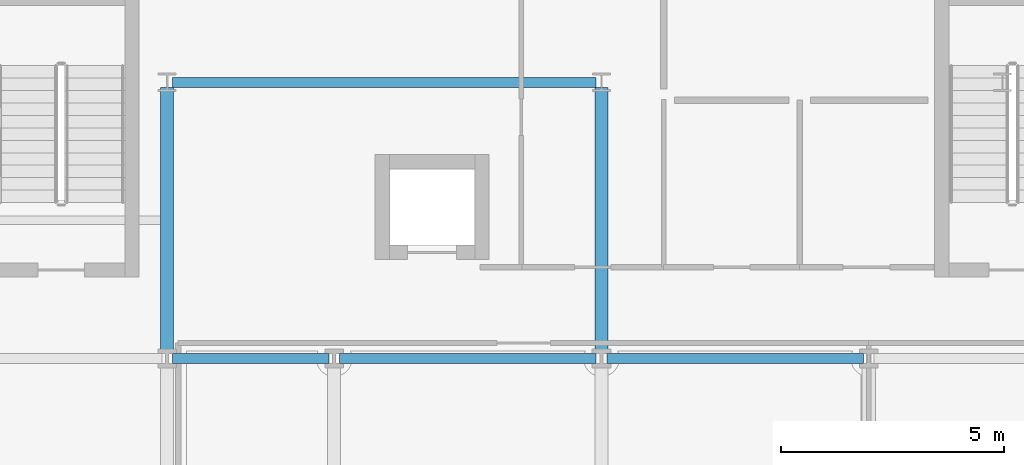
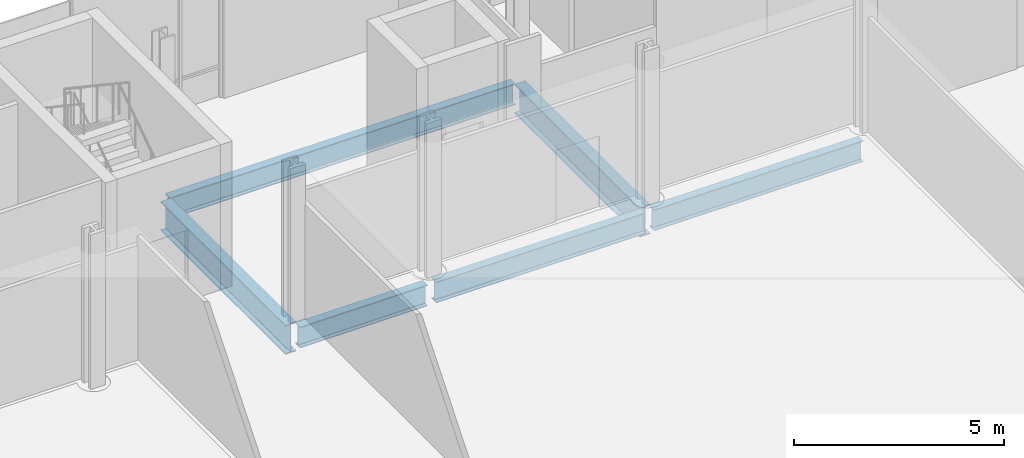
# One storey, part 10 of 25: 6 beams.
"""IFC4 building model written with IfcOpenShell, lengths in metres."""

import ifcopenshell
import ifcopenshell.guid

model = None  # the IFC model being written
_history = None  # IfcOwnerHistory: only IFC2X3 demands one
_inside = {}  # id of a spatial element -> (the spatial element, [elements in it])
_under = {}  # id of a project, library or spatial element -> (it, [spatial elements below it])
_declared = {}  # id of a project -> (the project, [libraries it declares])
_typed = {}  # id of a type object -> (the type object, [elements of that type])
_made_of = {}  # id of a material, layer set ... -> (it, [elements and type objects made of it])


def new_model(schema):
    """Start an empty IFC model of exactly this schema.

    Asked for "IFC4X3", IfcOpenShell would pick the latest addendum, in which some entities
    have other attributes; the version numbers below select the first issue.
    IFC2X3 requires an IfcOwnerHistory on every rooted entity: one is made here for all.
    """
    global model, _history
    if schema == "IFC4X3":
        model = ifcopenshell.file(schema_version=(4, 3, 0, 0))
    else:
        model = ifcopenshell.file(schema=schema)
    _inside.clear()
    _under.clear()
    _declared.clear()
    _typed.clear()
    _made_of.clear()
    _history = None
    if model.schema == "IFC2X3":
        org = make("IfcOrganization", Name="unknown")
        user = make(
            "IfcPersonAndOrganization",
            ThePerson=make("IfcPerson", FamilyName="unknown"),
            TheOrganization=org,
        )
        app = make(
            "IfcApplication",
            ApplicationDeveloper=org,
            Version="unknown",
            ApplicationFullName="unknown",
            ApplicationIdentifier="unknown",
        )
        _history = make(
            "IfcOwnerHistory",
            OwningUser=user,
            OwningApplication=app,
            ChangeAction="ADDED",
            CreationDate=0,
        )
    return model


def make(cls, **values):
    """One entity of the class cls with the attributes given. An attribute that is None is left unset."""
    return model.create_entity(
        cls, **{name: value for name, value in values.items() if value is not None}
    )


def rooted(cls, **values):
    """An entity with a GlobalId (a new one), such as an element, a storey or a relation."""
    return make(cls, GlobalId=ifcopenshell.guid.new(), OwnerHistory=_history, **values)


def si_unit(unit_type, name, prefix=None):
    """IfcSIUnit, for example si_unit("LENGTHUNIT", "METRE", prefix="MILLI")."""
    return make("IfcSIUnit", UnitType=unit_type, Prefix=prefix, Name=name)


def assignment(units):
    """IfcUnitAssignment: the units of a project."""
    return None if units is None else make("IfcUnitAssignment", Units=units)


def point(xyz):
    """IfcCartesianPoint."""
    return None if xyz is None else make("IfcCartesianPoint", Coordinates=xyz)


def direction(xyz):
    """IfcDirection."""
    return None if xyz is None else make("IfcDirection", DirectionRatios=xyz)


def frame(location, z_axis=None, x_axis=None):
    """IfcAxis2Placement3D, a coordinate frame: its origin and axes. An axis left out is left unset."""
    return make(
        "IfcAxis2Placement3D",
        Location=point(location),
        Axis=direction(z_axis),
        RefDirection=direction(x_axis),
    )


def frame_2d(location, x_axis=None):
    """IfcAxis2Placement2D, a coordinate frame in the plane: its origin and x axis."""
    return make(
        "IfcAxis2Placement2D", Location=point(location), RefDirection=direction(x_axis)
    )


def origin():
    """The frame at (0, 0, 0) with its axes left unset."""
    return frame((0.0, 0.0, 0.0))


def origin_2d():
    """The frame at (0, 0) in the plane with its x axis left unset."""
    return frame_2d((0.0, 0.0))


def place(relative_to, where):
    """IfcLocalPlacement: puts the frame where relative to a parent placement (None: the world)."""
    return make(
        "IfcLocalPlacement", PlacementRelTo=relative_to, RelativePlacement=where
    )


def context(
    kind, dimensions, precision=None, world=None, true_north=None, identifier=None
):
    """IfcGeometricRepresentationContext, for example the 3D "Model" context."""
    return make(
        "IfcGeometricRepresentationContext",
        ContextIdentifier=identifier,
        ContextType=kind,
        CoordinateSpaceDimension=dimensions,
        Precision=precision,
        WorldCoordinateSystem=world,
        TrueNorth=true_north,
    )


def subcontext(parent, identifier, kind, view, scale=None):
    """IfcGeometricRepresentationSubContext, for example "Body" below "Model"."""
    return make(
        "IfcGeometricRepresentationSubContext",
        ContextIdentifier=identifier,
        ContextType=kind,
        ParentContext=parent,
        TargetScale=scale,
        TargetView=view,
    )


def project(units=None, contexts=None):
    """IfcProject with its units and contexts."""
    return rooted(
        "IfcProject",
        Name="project",
        RepresentationContexts=contexts,
        UnitsInContext=assignment(units),
    )


def spatial(cls, under=None, at=None, **own):
    """A site, building, storey or space (cls), placed at a placement, below another one or the project."""
    s = rooted(cls, ObjectPlacement=at, **own)
    if under is not None:
        _under.setdefault(under.id(), (under, []))[1].append(s)
    return s


def profile(cls, at=None, kind="AREA", **sizes):
    """A parametric profile (cls). Its sizes go by their IFC names, for example OverallWidth=200.0."""
    return make(cls, ProfileType=kind, Position=at, **sizes)


def i_section(**sizes):
    """IfcIShapeProfileDef."""
    return profile("IfcIShapeProfileDef", **sizes)


def extrude(swept, where, along, depth):
    """IfcExtrudedAreaSolid: the profile swept, set in the frame where, extruded along a direction by depth."""
    return make(
        "IfcExtrudedAreaSolid",
        SweptArea=swept,
        Position=where,
        ExtrudedDirection=direction(along),
        Depth=depth,
    )


def shape(context_of_items, identifier, shape_type, items):
    """IfcShapeRepresentation: the items that make up one representation, for example the "Body"."""
    return make(
        "IfcShapeRepresentation",
        ContextOfItems=context_of_items,
        RepresentationIdentifier=identifier,
        RepresentationType=shape_type,
        Items=items,
    )


def material(Name=None, Category=None):
    """IfcMaterial."""
    return make("IfcMaterial", Name=Name, Category=Category)


def material_profile(
    of_material, cross_section, Name=None, Category=None, Priority=None
):
    """IfcMaterialProfile: a cross section and its material."""
    return make(
        "IfcMaterialProfile",
        Name=Name,
        Material=of_material,
        Profile=cross_section,
        Priority=Priority,
        Category=Category,
    )


def profile_set(profiles, Name=None, composite=None):
    """IfcMaterialProfileSet."""
    return make(
        "IfcMaterialProfileSet",
        Name=Name,
        MaterialProfiles=profiles,
        CompositeProfile=composite,
    )


def made_of(thing, what):
    """Note that an element or type object is made of a material, layer set ...; save() writes the relation."""
    if what is not None:
        _made_of.setdefault(what.id(), (what, []))[1].append(thing)
    return thing


def type_object(cls, material=None, **own):
    """A type object (cls), such as IfcWallType, which elements share."""
    return made_of(rooted(cls, **own), material)


def element(
    cls,
    number,
    at=None,
    inside=None,
    cuts=None,
    type_object=None,
    material=None,
    context=None,
    identifier="Body",
    shape_type=None,
    held_by="IfcProductDefinitionShape",
    body=None,
    shapes=None,
    **own,
):
    """One element of the class cls, such as IfcWall. Its Tag is "e" and its number.

    at: its placement. inside: the storey or other place that contains it. cuts: it is an
    opening in that element (IfcRelVoidsElement). A single representation is given by context,
    identifier, shape_type and body (its items); several are given by shapes. held_by: the class
    of the entity that holds the representations. save() writes the other relations.
    """
    e = rooted(cls, Tag="e%d" % number, ObjectPlacement=at, **own)
    if body is not None:
        shapes = [shape(context, identifier, shape_type, body)]
    if shapes is not None:
        e.Representation = make(held_by, Representations=shapes)
    if inside is not None:
        _inside.setdefault(inside.id(), (inside, []))[1].append(e)
    if cuts is not None:
        rooted(
            "IfcRelVoidsElement", RelatingBuildingElement=cuts, RelatedOpeningElement=e
        )
    if type_object is not None:
        _typed.setdefault(type_object.id(), (type_object, []))[1].append(e)
    return made_of(e, material)


def aggregate(whole, parts):
    """IfcRelAggregates: a whole, such as a stair, and the parts it consists of."""
    return rooted("IfcRelAggregates", RelatingObject=whole, RelatedObjects=parts)


def save(model, path):
    """Write the relations noted so far, then the file.

    IfcRelAggregates (storeys below a building ...), IfcRelContainedInSpatialStructure (elements
    in a storey), IfcRelDefinesByType, IfcRelAssociatesMaterial and IfcRelDeclares: one each for
    every whole, place, type object, material and project.
    """
    for whole, parts in _under.values():
        aggregate(whole, parts)
    for where, things in _inside.values():
        rooted(
            "IfcRelContainedInSpatialStructure",
            RelatedElements=things,
            RelatingStructure=where,
        )
    for kind, things in _typed.values():
        rooted("IfcRelDefinesByType", RelatedObjects=things, RelatingType=kind)
    for what, things in _made_of.values():
        rooted("IfcRelAssociatesMaterial", RelatedObjects=things, RelatingMaterial=what)
    for by, libraries in _declared.values():
        rooted("IfcRelDeclares", RelatingContext=by, RelatedDefinitions=libraries)
    model.write(path)


model = new_model("IFC4")

# Units and contexts
model_context = context("Model", 3, precision=1e-05, world=origin(), true_north=direction((0.0, 1.0)))
body_context = subcontext(model_context, "Body", "Model", "MODEL_VIEW")
ifc_project = project(units=[si_unit("LENGTHUNIT", "METRE"), si_unit("AREAUNIT", "SQUARE_METRE"), si_unit("VOLUMEUNIT", "CUBIC_METRE"), si_unit("PLANEANGLEUNIT", "RADIAN"), si_unit("MASSUNIT", "GRAM", prefix="KILO")], contexts=[model_context])

# Site, building, storey
site_placement = place(None, origin())
site = spatial("IfcSite", under=ifc_project, at=site_placement, CompositionType="ELEMENT")
building_placement = place(site_placement, origin())
building = spatial("IfcBuilding", under=site, at=building_placement, Name="Brevholm Reach", CompositionType="ELEMENT")
storey_placement = place(building_placement, frame((0.0, 0.0, 13.5)))
storey = spatial("IfcBuildingStorey", under=building, at=storey_placement, Name="L03", CompositionType="ELEMENT", Elevation=13.5)

# Beams
ifc_material_1 = material(Name="Structural Steel S355J2", Category="steel")
ifc_material_profile_1 = material_profile(ifc_material_1, i_section(OverallWidth=0.22900390625, OverallDepth=0.6123046875, WebThickness=0.011962890625, FlangeThickness=0.01953125, FilletRadius=0.0126953125, at=origin_2d()), Name="UKB 610x229x125")
ifc_profile_set_1 = profile_set([ifc_material_profile_1], Name="Structural Steel S355J2")
beam_type_1 = type_object("IfcBeamType", Name="BM-SP610", PredefinedType="SPANDREL", material=ifc_profile_set_1)
beam_1_placement = place(storey_placement, frame((38.3701171875, 31.0, -0.586181640625), z_axis=(1.0, 0.0, 0.0), x_axis=(0.0, 1.0, 0.0)))
element("IfcBeam", 1, at=beam_1_placement, inside=storey, type_object=beam_type_1, Name="L03 SP-01 Framing Beam", PredefinedType="SPANDREL", context=body_context, shape_type="SweptSolid", body=[
    extrude(i_section(OverallWidth=0.22900390625, OverallDepth=0.6123046875, WebThickness=0.011962890625, FlangeThickness=0.01953125, FilletRadius=0.0126953125, at=origin_2d()), origin(), (0.0, 0.0, 1.0), 3.509765625),
])
for number, where, z_axis, x_axis, name in (
    (2, (42.1201171875, 31.0, -0.586181640625), (1.0, 0.0, 0.0), (0.0, 1.0, 0.0), "L03 SP-01 Framing Beam"),
    (3, (48.1201171875, 31.0, -0.586181640625), (1.0, 0.0, 0.0), (0.0, 1.0, 0.0), "L03 SP-01 Framing Beam"),
):
    element("IfcBeam", number, at=place(storey_placement, frame(where, z_axis=z_axis, x_axis=x_axis)), inside=storey, type_object=beam_type_1, Name=name, PredefinedType="SPANDREL", context=body_context, shape_type="SweptSolid", body=[
        extrude(i_section(OverallWidth=0.22900390625, OverallDepth=0.6123046875, WebThickness=0.011962890625, FlangeThickness=0.01953125, FilletRadius=0.0126953125, at=origin_2d()), origin(), (0.0, 0.0, 1.0), 5.759765625),
    ])
beam_2_placement = place(storey_placement, frame((38.3701171875, 37.199951171875, -0.586181640625), z_axis=(1.0, 0.0, 0.0), x_axis=(0.0, 1.0, 0.0)))
element("IfcBeam", 4, at=beam_2_placement, inside=storey, type_object=beam_type_1, Name="L03 SP-01 Framing Beam", PredefinedType="SPANDREL", context=body_context, shape_type="SweptSolid", body=[
    extrude(i_section(OverallWidth=0.22900390625, OverallDepth=0.6123046875, WebThickness=0.011962890625, FlangeThickness=0.01953125, FilletRadius=0.0126953125, at=origin_2d()), origin(), (0.0, 0.0, 1.0), 9.509765625),
])
ifc_material_2 = material(Name="Structural Steel S355J2", Category="steel")
ifc_material_profile_2 = material_profile(ifc_material_2, i_section(OverallWidth=0.293701171875, OverallDepth=0.850830078125, WebThickness=0.01611328125, FlangeThickness=0.02685546875, FilletRadius=0.017822265625, at=origin_2d()), Name="UKB 838x292x226")
ifc_profile_set_2 = profile_set([ifc_material_profile_2], Name="Structural Steel S355J2")
beam_type_2 = type_object("IfcBeamType", Name="BM-UKB838", PredefinedType="USERDEFINED", material=ifc_profile_set_2)
for number, where, z_axis, x_axis, name in (
    (5, (38.25, 31.1201171875, -0.70556640625), (0.0, 1.0, 0.0), (-1.0, 0.0, 0.0), "L03 G-03 Framing Beam"),
    (6, (48.0, 31.1201171875, -0.70556640625), (0.0, 1.0, 0.0), (-1.0, 0.0, 0.0), "L03 G-03 Framing Beam"),
):
    element("IfcBeam", number, at=place(storey_placement, frame(where, z_axis=z_axis, x_axis=x_axis)), inside=storey, type_object=beam_type_2, Name=name, ObjectType="GIRDER", PredefinedType="USERDEFINED", context=body_context, shape_type="SweptSolid", body=[
        extrude(i_section(OverallWidth=0.293701171875, OverallDepth=0.850830078125, WebThickness=0.01611328125, FlangeThickness=0.02685546875, FilletRadius=0.017822265625, at=origin_2d()), origin(), (0.0, 0.0, 1.0), 5.9599609375),
    ])

save(model, "model.ifc")
